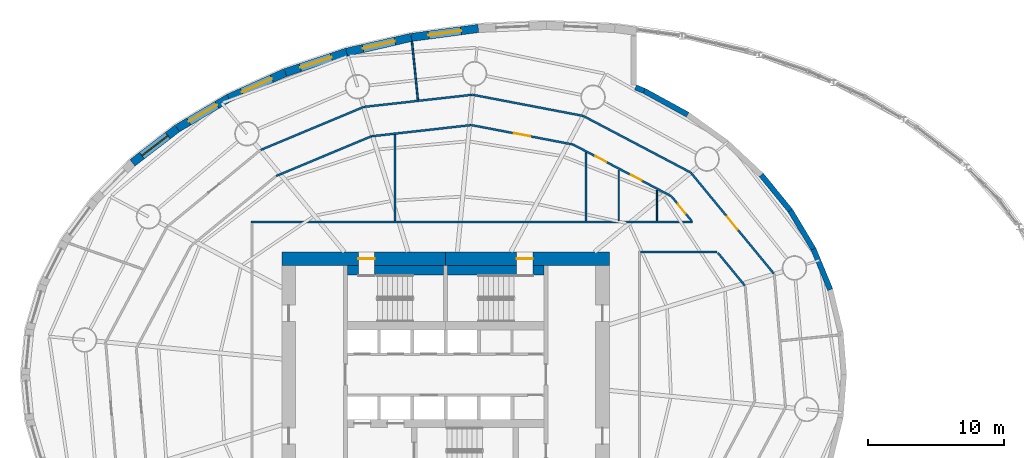
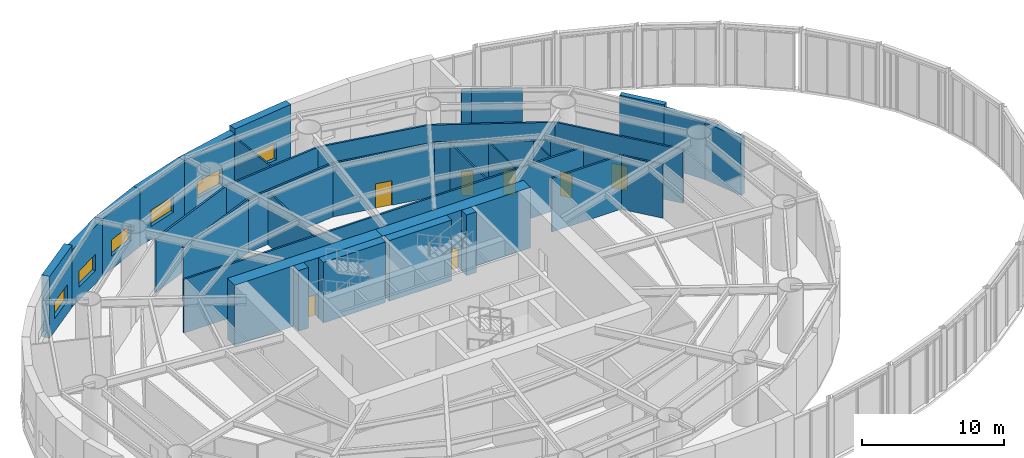
# One storey, part 17 of 19: 35 walls, 7 doors, 6 windows, 13 openings.
"""IFC4 building model written with IfcOpenShell, lengths in metres."""

from ifc_helpers import new_model, si_unit, direction, frame, frame_2d, origin, place, context, subcontext, project, spatial, rectangle, extrude, material, layer, layer_set, type_object, element, fill, save


model = new_model("IFC4")

# Units and contexts
model_context = context("Model", 3, precision=1e-05, world=origin(), true_north=direction((0.0, 1.0)))
body_context = subcontext(model_context, "Body", "Model", "MODEL_VIEW")
ifc_project = project(units=[si_unit("LENGTHUNIT", "METRE"), si_unit("AREAUNIT", "SQUARE_METRE"), si_unit("VOLUMEUNIT", "CUBIC_METRE"), si_unit("PLANEANGLEUNIT", "RADIAN"), si_unit("MASSUNIT", "GRAM", prefix="KILO")], contexts=[model_context])

# Site, building, storey
site_placement = place(None, origin())
site = spatial("IfcSite", under=ifc_project, at=site_placement, CompositionType="ELEMENT")
building_placement = place(site_placement, origin())
building = spatial("IfcBuilding", under=site, at=building_placement, Name="Vermilion Reach Broadcast Tower", CompositionType="ELEMENT")
storey_placement = place(building_placement, frame((0.0, 0.0, 26.0)))
storey = spatial("IfcBuildingStorey", under=building, at=storey_placement, Name="L03", CompositionType="ELEMENT", Elevation=26.0)

# Walls
ifc_material_1 = material(Name="Precast concrete C40/50 with acoustic cladding", Category="concrete")
ifc_layer_1 = layer(ifc_material_1, 0.39990234375)
ifc_layer_set_1 = layer_set([ifc_layer_1], Name="Atrium end wall 400")
wall_type_1 = type_object("IfcWallType", Name="Atrium end wall 400", PredefinedType="SOLIDWALL", material=ifc_layer_set_1)
wall_1_placement = place(storey_placement, frame((17.14013671875, 14.639892578125, 0.0), z_axis=(0.0, 0.0, 1.0), x_axis=(0.631953724698, -0.775006122453, 0.0)))
element("IfcWall", 1, at=wall_1_placement, inside=storey, type_object=wall_type_1, Name="Podium wall L03 dru04", PredefinedType="SOLIDWALL", context=body_context, shape_type="SweptSolid", body=[
    extrude(rectangle(XDim=3.3671875, YDim=0.39990234375, at=frame_2d((1.68359375, 0.0))), origin(), (0.0, 0.0, 1.0), 5.300048828125),
])
ifc_material_2 = material(Name="Precast concrete C40/50 with acoustic cladding", Category="concrete")
ifc_layer_2 = layer(ifc_material_2, 0.39990234375)
ifc_layer_set_2 = layer_set([ifc_layer_2], Name="Atrium end wall 400, head 400 below soffit")
wall_type_2 = type_object("IfcWallType", Name="Atrium end wall 400, head 400 below soffit", PredefinedType="SOLIDWALL", material=ifc_layer_set_2)
wall_2_placement = place(storey_placement, frame((7.925048828125, 21.060546875, 0.0), z_axis=(0.0, 0.0, 1.0), x_axis=(0.927141159757, -0.374712249444, 0.0)))
element("IfcWall", 2, at=wall_2_placement, inside=storey, type_object=wall_type_2, Name="Podium wall L03 dru00", PredefinedType="SOLIDWALL", context=body_context, shape_type="SweptSolid", body=[
    extrude(rectangle(XDim=0.696533203125, YDim=0.39990234375, at=frame_2d((0.34814453125, 0.0))), origin(), (0.0, 0.0, 1.0), 4.89990234375),
])
wall_3_placement = place(storey_placement, frame((8.57080078125, 20.799560546875, 0.0), z_axis=(0.0, 0.0, 1.0), x_axis=(0.87711318505, -0.48028372928, 0.0)))
element("IfcWall", 3, at=wall_3_placement, inside=storey, type_object=wall_type_2, Name="Podium wall L03 dru01", PredefinedType="SOLIDWALL", context=body_context, shape_type="SweptSolid", body=[
    extrude(rectangle(XDim=3.61865234375, YDim=0.39990234375, at=frame_2d((1.809326171875, 0.0))), origin(), (0.0, 0.0, 1.0), 4.89990234375),
])
wall_4_placement = place(storey_placement, frame((19.26806640625, 12.0302734375, 0.0), z_axis=(0.0, 0.0, 1.0), x_axis=(0.515586767828, -0.856837373625, 0.0)))
element("IfcWall", 4, at=wall_4_placement, inside=storey, type_object=wall_type_2, Name="Podium wall L03 dru05", PredefinedType="SOLIDWALL", context=body_context, shape_type="SweptSolid", body=[
    extrude(rectangle(XDim=3.28955078125, YDim=0.39990234375, at=frame_2d((1.644775390625, 0.0))), origin(), (0.0, 0.0, 1.0), 4.89990234375),
])
wall_5_placement = place(storey_placement, frame((20.964111328125, 9.211669921875, 0.0), z_axis=(0.0, 0.0, 1.0), x_axis=(0.382706172342, -0.923870112976, 0.0)))
element("IfcWall", 5, at=wall_5_placement, inside=storey, type_object=wall_type_2, Name="Podium wall L03 dru06", PredefinedType="SOLIDWALL", context=body_context, shape_type="SweptSolid", body=[
    extrude(rectangle(XDim=3.224853515625, YDim=0.39990234375, at=frame_2d((1.6123046875, 0.0))), origin(), (0.0, 0.0, 1.0), 4.89990234375),
])

# Wall, opening, door
ifc_material_3 = material(Name="Concrete C70", Category="concrete")
ifc_layer_3 = layer(ifc_material_3, 1.0)
ifc_layer_set_3 = layer_set([ifc_layer_3], Name="Core outer wall 1000 mm Concrete C70")
wall_type_3 = type_object("IfcWallType", Name="Core outer wall 1000 mm Concrete C70", PredefinedType="SHEAR", material=ifc_layer_set_3)
wall_6_placement = place(storey_placement, frame((6.0, 8.5, 0.0), z_axis=(0.0, 0.0, 1.0), x_axis=(-1.0, 0.0, 0.0)))
wall_6 = element("IfcWall", 6, at=wall_6_placement, inside=storey, type_object=wall_type_3, Name="L03 core wall onE", PredefinedType="SHEAR", context=body_context, shape_type="SweptSolid", body=[
    extrude(rectangle(XDim=12.0, YDim=1.0, at=frame_2d((6.0, 0.0))), origin(), (0.0, 0.0, 1.0), 5.199951171875),
])
opening_1_placement = place(wall_6_placement, frame((5.60009765625, 0.0, 0.0)))
opening_1 = element("IfcOpeningElement", 7, at=opening_1_placement, cuts=wall_6, Name="Opening D01", PredefinedType="OPENING", context=body_context, shape_type="SweptSolid", body=[
    extrude(rectangle(XDim=1.199951171875, YDim=2.10009765625, at=frame_2d((0.60009765625, 1.050048828125))), frame((0.0, 0.510009765625, 0.0), z_axis=(0.0, -1.0, 0.0), x_axis=(1.0, 0.0, 0.0)), (0.0, 0.0, 1.0), 1.02001953125),
])
ifc_material_4 = material(Name="Painted steel fire door", Category="steel")
door_type_1 = type_object("IfcDoorType", Name="Stair door 1200 x 2100", OperationType="DOUBLE_DOOR_SINGLE_SWING", PredefinedType="NOTDEFINED", material=ifc_material_4)
door_1_placement = place(opening_1_placement, origin())
door_1 = element("IfcDoor", 8, at=door_1_placement, inside=storey, type_object=door_type_1, Name="L03 stair door ST2", OperationType="DOUBLE_DOOR_SINGLE_SWING", OverallHeight=2.10009765625, OverallWidth=1.199951171875, PredefinedType="NOTDEFINED", context=body_context, shape_type="SweptSolid", body=[
    extrude(rectangle(XDim=1.199951171875, YDim=2.10009765625, at=frame_2d((0.60009765625, 1.050048828125))), frame((0.0, 0.02490234375, 0.0), z_axis=(0.0, -1.0, 0.0), x_axis=(1.0, 0.0, 0.0)), (0.0, 0.0, 1.0), 0.050048828125),
])
fill(opening_1, door_1)

wall_7_placement = place(storey_placement, frame((-6.0, 8.5, 0.0), z_axis=(0.0, 0.0, 1.0), x_axis=(-1.0, 0.0, 0.0)))
wall_7 = element("IfcWall", 9, at=wall_7_placement, inside=storey, type_object=wall_type_3, Name="L03 core wall onW", PredefinedType="SHEAR", context=body_context, shape_type="SweptSolid", body=[
    extrude(rectangle(XDim=12.0, YDim=1.0, at=frame_2d((6.0, 0.0))), origin(), (0.0, 0.0, 1.0), 5.199951171875),
])
opening_2_placement = place(wall_7_placement, frame((5.199951171875, 0.0, 0.0)))
opening_2 = element("IfcOpeningElement", 10, at=opening_2_placement, cuts=wall_7, Name="Opening D01", PredefinedType="OPENING", context=body_context, shape_type="SweptSolid", body=[
    extrude(rectangle(XDim=1.199951171875, YDim=2.10009765625, at=frame_2d((0.60009765625, 1.050048828125))), frame((0.0, 0.510009765625, 0.0), z_axis=(0.0, -1.0, 0.0), x_axis=(1.0, 0.0, 0.0)), (0.0, 0.0, 1.0), 1.02001953125),
])
door_2_placement = place(opening_2_placement, origin())
door_2 = element("IfcDoor", 11, at=door_2_placement, inside=storey, type_object=door_type_1, Name="L03 stair door ST1", OperationType="DOUBLE_DOOR_SINGLE_SWING", OverallHeight=2.10009765625, OverallWidth=1.199951171875, PredefinedType="NOTDEFINED", context=body_context, shape_type="SweptSolid", body=[
    extrude(rectangle(XDim=1.199951171875, YDim=2.10009765625, at=frame_2d((0.60009765625, 1.050048828125))), frame((0.0, 0.02490234375, 0.0), z_axis=(0.0, -1.0, 0.0), x_axis=(1.0, 0.0, 0.0)), (0.0, 0.0, 1.0), 0.050048828125),
])
fill(opening_2, door_2)

# Walls
ifc_material_5 = material(Name="Concrete C70", Category="concrete")
ifc_layer_4 = layer(ifc_material_5, 0.699951171875)
ifc_layer_set_4 = layer_set([ifc_layer_4], Name="Core stair wall 700 mm Concrete C70")
wall_type_4 = type_object("IfcWallType", Name="Core stair wall 700 mm Concrete C70", PredefinedType="SHEAR", material=ifc_layer_set_4)
wall_8_placement = place(storey_placement, frame((-13.199951171875, 7.64990234375, 0.0), z_axis=(0.0, 0.0, 1.0), x_axis=(1.0, 0.0, 0.0)))
element("IfcWall", 12, at=wall_8_placement, inside=storey, type_object=wall_type_4, Name="L03 core wall l1a", PredefinedType="SHEAR", context=body_context, shape_type="SweptSolid", body=[
    extrude(rectangle(XDim=0.800048828125, YDim=0.699951171875, at=frame_2d((0.39990234375, 0.0))), origin(), (0.0, 0.0, 1.0), 5.199951171875),
])
for number, where, z_axis, x_axis, name in (
    (13, (-11.199951171875, 7.64990234375, 0.0), (0.0, 0.0, 1.0), (1.0, 0.0, 0.0), "L03 core wall l1b"),
    (14, (-5.85009765625, 7.64990234375, 0.0), (0.0, 0.0, 1.0), (1.0, 0.0, 0.0), "L03 core wall l2a"),
):
    element("IfcWall", number, at=place(storey_placement, frame(where, z_axis=z_axis, x_axis=x_axis)), inside=storey, type_object=wall_type_4, Name=name, PredefinedType="SHEAR", context=body_context, shape_type="SweptSolid", body=[
        extrude(rectangle(XDim=5.050048828125, YDim=0.699951171875, at=frame_2d((2.52490234375, 0.0))), origin(), (0.0, 0.0, 1.0), 5.199951171875),
    ])
wall_9_placement = place(storey_placement, frame((0.39990234375, 7.64990234375, 0.0), z_axis=(0.0, 0.0, 1.0), x_axis=(1.0, 0.0, 0.0)))
element("IfcWall", 15, at=wall_9_placement, inside=storey, type_object=wall_type_4, Name="L03 core wall l2b", PredefinedType="SHEAR", context=body_context, shape_type="SweptSolid", body=[
    extrude(rectangle(XDim=0.800048828125, YDim=0.699951171875, at=frame_2d((0.39990234375, 0.0))), origin(), (0.0, 0.0, 1.0), 5.199951171875),
])
ifc_material_6 = material(Name="Gypsum board partition")
ifc_layer_5 = layer(ifc_material_6, 0.14990234375)
ifc_layer_set_5 = layer_set([ifc_layer_5], Name="Corridor wall 150")
wall_type_5 = type_object("IfcWallType", Name="Corridor wall 150", PredefinedType="PARTITIONING", material=ifc_layer_set_5)
wall_10_placement = place(storey_placement, frame((-20.27490234375, 11.199951171875, 0.0), z_axis=(0.0, 0.0, 1.0), x_axis=(1.0, 0.0, 0.0)))
element("IfcWall", 16, at=wall_10_placement, inside=storey, type_object=wall_type_5, Name="sp.wall.L03.000", PredefinedType="PARTITIONING", context=body_context, shape_type="SweptSolid", body=[
    extrude(rectangle(XDim=32.372314453125, YDim=0.14990234375, at=frame_2d((16.18603515625, 0.0))), origin(), (0.0, 0.0, 1.0), 4.60009765625),
])
wall_11_placement = place(storey_placement, frame((8.27490234375, 9.0, 0.0), z_axis=(0.0, 0.0, 1.0), x_axis=(1.0, 0.0, 0.0)))
element("IfcWall", 17, at=wall_11_placement, inside=storey, type_object=wall_type_5, Name="sp.wall.L03.006", PredefinedType="PARTITIONING", context=body_context, shape_type="SweptSolid", body=[
    extrude(rectangle(XDim=5.630859375, YDim=0.14990234375, at=frame_2d((2.8154296875, 0.0))), origin(), (0.0, 0.0, 1.0), 4.60009765625),
])

# Wall, opening, door
wall_12_placement = place(storey_placement, frame((12.039306640625, 11.2705078125, 0.0), z_axis=(0.0, 0.0, 1.0), x_axis=(-0.634980634047, 0.772528054109, 0.0)))
wall_12 = element("IfcWall", 18, at=wall_12_placement, inside=storey, type_object=wall_type_5, Name="sp.wall.L03.009", PredefinedType="PARTITIONING", context=body_context, shape_type="SweptSolid", body=[
    extrude(rectangle(XDim=2.309326171875, YDim=0.14990234375, at=frame_2d((1.15478515625, 0.0))), origin(), (0.0, 0.0, 1.0), 4.60009765625),
])
opening_3_placement = place(wall_12_placement, frame((0.70458984375, 0.0, 0.0)))
opening_3 = element("IfcOpeningElement", 19, at=opening_3_placement, cuts=wall_12, Name="Opening D51", PredefinedType="OPENING", context=body_context, shape_type="SweptSolid", body=[
    extrude(rectangle(XDim=0.89990234375, YDim=2.10009765625, at=frame_2d((0.449951171875, 1.050048828125))), frame((0.0, 0.0849609375, 0.0), z_axis=(0.0, -1.0, 0.0), x_axis=(1.0, 0.0, 0.0)), (0.0, 0.0, 1.0), 0.169921875),
])
ifc_material_7 = material(Name="Timber and steel door set", Category="steel")
door_type_2 = type_object("IfcDoorType", Name="Door 900x2100 WC", OperationType="NOTDEFINED", PredefinedType="DOOR", material=ifc_material_7)
door_3_placement = place(opening_3_placement, origin())
door_3 = element("IfcDoor", 20, at=door_3_placement, inside=storey, type_object=door_type_2, Name="sp.door.L03.000", OperationType="SINGLE_SWING_LEFT", OverallHeight=2.10009765625, OverallWidth=0.89990234375, PredefinedType="DOOR", context=body_context, shape_type="SweptSolid", body=[
    extrude(rectangle(XDim=0.89990234375, YDim=2.10009765625, at=frame_2d((0.449951171875, 1.050048828125))), frame((0.0, 0.02490234375, 0.0), z_axis=(0.0, -1.0, 0.0), x_axis=(1.0, 0.0, 0.0)), (0.0, 0.0, 1.0), 0.050048828125),
])
fill(opening_3, door_3)

# Wall
wall_13_placement = place(storey_placement, frame((13.9638671875, 8.929443359375, 0.0), z_axis=(0.0, 0.0, 1.0), x_axis=(0.635017397711, -0.772497834692, 0.0)))
element("IfcWall", 21, at=wall_13_placement, inside=storey, type_object=wall_type_5, Name="sp.wall.L03.010", PredefinedType="PARTITIONING", context=body_context, shape_type="SweptSolid", body=[
    extrude(rectangle(XDim=3.08984375, YDim=0.14990234375, at=frame_2d((1.544921875, 0.0))), origin(), (0.0, 0.0, 1.0), 4.60009765625),
])

# Wall, openings, doors
wall_14_placement = place(storey_placement, frame((10.552734375, 13.078857421875, 0.0), z_axis=(0.0, 0.0, 1.0), x_axis=(-0.884926027541, 0.46573160273, 0.0)))
wall_14 = element("IfcWall", 22, at=wall_14_placement, inside=storey, type_object=wall_type_5, Name="sp.wall.L03.011", PredefinedType="PARTITIONING", context=body_context, shape_type="SweptSolid", body=[
    extrude(rectangle(XDim=8.14208984375, YDim=0.14990234375, at=frame_2d((4.071044921875, 0.0))), origin(), (0.0, 0.0, 1.0), 4.60009765625),
])
opening_4_placement = place(wall_14_placement, frame((2.45068359375, 0.0, 0.0)))
opening_4 = element("IfcOpeningElement", 23, at=opening_4_placement, cuts=wall_14, Name="Opening D51", PredefinedType="OPENING", context=body_context, shape_type="SweptSolid", body=[
    extrude(rectangle(XDim=0.89990234375, YDim=2.10009765625, at=frame_2d((0.449951171875, 1.050048828125))), frame((0.0, 0.0849609375, 0.0), z_axis=(0.0, -1.0, 0.0), x_axis=(1.0, 0.0, 0.0)), (0.0, 0.0, 1.0), 0.169921875),
])
opening_5_placement = place(wall_14_placement, frame((5.392333984375, 0.0, 0.0)))
opening_5 = element("IfcOpeningElement", 24, at=opening_5_placement, cuts=wall_14, Name="Opening D51", PredefinedType="OPENING", context=body_context, shape_type="SweptSolid", body=[
    extrude(rectangle(XDim=0.89990234375, YDim=2.10009765625, at=frame_2d((0.449951171875, 1.050048828125))), frame((0.0, 0.0849609375, 0.0), z_axis=(0.0, -1.0, 0.0), x_axis=(1.0, 0.0, 0.0)), (0.0, 0.0, 1.0), 0.169921875),
])
door_4_placement = place(opening_4_placement, origin())
door_4 = element("IfcDoor", 25, at=door_4_placement, inside=storey, type_object=door_type_2, Name="sp.door.L03.001", OperationType="SINGLE_SWING_RIGHT", OverallHeight=2.10009765625, OverallWidth=0.89990234375, PredefinedType="DOOR", context=body_context, shape_type="SweptSolid", body=[
    extrude(rectangle(XDim=0.89990234375, YDim=2.10009765625, at=frame_2d((0.449951171875, 1.050048828125))), frame((0.0, 0.02490234375, 0.0), z_axis=(0.0, -1.0, 0.0), x_axis=(1.0, 0.0, 0.0)), (0.0, 0.0, 1.0), 0.050048828125),
])
fill(opening_4, door_4)
door_5_placement = place(opening_5_placement, origin())
door_5 = element("IfcDoor", 26, at=door_5_placement, inside=storey, type_object=door_type_2, Name="sp.door.L03.002", OperationType="SINGLE_SWING_LEFT", OverallHeight=2.10009765625, OverallWidth=0.89990234375, PredefinedType="DOOR", context=body_context, shape_type="SweptSolid", body=[
    extrude(rectangle(XDim=0.89990234375, YDim=2.10009765625, at=frame_2d((0.449951171875, 1.050048828125))), frame((0.0, 0.02490234375, 0.0), z_axis=(0.0, -1.0, 0.0), x_axis=(1.0, 0.0, 0.0)), (0.0, 0.0, 1.0), 0.050048828125),
])
fill(opening_5, door_5)

# Wall, opening, door
wall_15_placement = place(storey_placement, frame((3.3251953125, 16.875244140625, 0.0), z_axis=(0.0, 0.0, 1.0), x_axis=(-0.982205706766, 0.187808278828, 0.0)))
wall_15 = element("IfcWall", 27, at=wall_15_placement, inside=storey, type_object=wall_type_5, Name="sp.wall.L03.015", PredefinedType="PARTITIONING", context=body_context, shape_type="SweptSolid", body=[
    extrude(rectangle(XDim=7.573486328125, YDim=0.14990234375, at=frame_2d((3.78662109375, 0.0))), origin(), (0.0, 0.0, 1.0), 4.60009765625),
])
opening_6_placement = place(wall_15_placement, frame((3.186767578125, 0.0, 0.0)))
opening_6 = element("IfcOpeningElement", 28, at=opening_6_placement, cuts=wall_15, Name="Opening D57", PredefinedType="OPENING", context=body_context, shape_type="SweptSolid", body=[
    extrude(rectangle(XDim=1.199951171875, YDim=2.10009765625, at=frame_2d((0.60009765625, 1.050048828125))), frame((0.0, 0.0849609375, 0.0), z_axis=(0.0, -1.0, 0.0), x_axis=(1.0, 0.0, 0.0)), (0.0, 0.0, 1.0), 0.169921875),
])
ifc_material_8 = material(Name="Timber and steel door set", Category="steel")
door_type_3 = type_object("IfcDoorType", Name="Control room door 1200x2100", OperationType="NOTDEFINED", PredefinedType="DOOR", material=ifc_material_8)
door_6_placement = place(opening_6_placement, origin())
door_6 = element("IfcDoor", 29, at=door_6_placement, inside=storey, type_object=door_type_3, Name="sp.door.L03.003", OperationType="SINGLE_SWING_RIGHT", OverallHeight=2.10009765625, OverallWidth=1.199951171875, PredefinedType="DOOR", context=body_context, shape_type="SweptSolid", body=[
    extrude(rectangle(XDim=1.199951171875, YDim=2.10009765625, at=frame_2d((0.60009765625, 1.050048828125))), frame((0.0, 0.02490234375, 0.0), z_axis=(0.0, -1.0, 0.0), x_axis=(1.0, 0.0, 0.0)), (0.0, 0.0, 1.0), 0.050048828125),
])
fill(opening_6, door_6)

# Walls
wall_16_placement = place(storey_placement, frame((-11.4248046875, 17.47705078125, 0.0), z_axis=(0.0, 0.0, 1.0), x_axis=(0.993762158865, 0.111520274427, 0.0)))
element("IfcWall", 30, at=wall_16_placement, inside=storey, type_object=wall_type_5, Name="sp.wall.L03.016", PredefinedType="PARTITIONING", context=body_context, shape_type="SweptSolid", body=[
    extrude(rectangle(XDim=7.333740234375, YDim=0.14990234375, at=frame_2d((3.6669921875, 0.0))), origin(), (0.0, 0.0, 1.0), 4.60009765625),
])
wall_17_placement = place(storey_placement, frame((-18.40966796875, 14.56787109375, 0.0), z_axis=(0.0, 0.0, 1.0), x_axis=(0.922821127206, 0.38522872061, 0.0)))
element("IfcWall", 31, at=wall_17_placement, inside=storey, type_object=wall_type_5, Name="sp.wall.L03.019", PredefinedType="PARTITIONING", context=body_context, shape_type="SweptSolid", body=[
    extrude(rectangle(XDim=7.54541015625, YDim=0.14990234375, at=frame_2d((3.772705078125, 0.0))), origin(), (0.0, 0.0, 1.0), 4.60009765625),
])

# Wall, opening, door
wall_18_placement = place(storey_placement, frame((18.060302734375, 7.41064453125, 0.0), z_axis=(0.0, 0.0, 1.0), x_axis=(-0.63502168635, 0.772494309277, 0.0)))
wall_18 = element("IfcWall", 32, at=wall_18_placement, inside=storey, type_object=wall_type_5, Name="sp.wall.L03.037", PredefinedType="PARTITIONING", context=body_context, shape_type="SweptSolid", body=[
    extrude(rectangle(XDim=9.590087890625, YDim=0.14990234375, at=frame_2d((4.794921875, 0.0))), origin(), (0.0, 0.0, 1.0), 4.60009765625),
])
opening_7_placement = place(wall_18_placement, frame((4.195068359375, 0.0, 0.0)))
opening_7 = element("IfcOpeningElement", 33, at=opening_7_placement, cuts=wall_18, Name="Opening D57", PredefinedType="OPENING", context=body_context, shape_type="SweptSolid", body=[
    extrude(rectangle(XDim=1.199951171875, YDim=2.10009765625, at=frame_2d((0.60009765625, 1.050048828125))), frame((0.0, 0.0849609375, 0.0), z_axis=(0.0, -1.0, 0.0), x_axis=(1.0, 0.0, 0.0)), (0.0, 0.0, 1.0), 0.169921875),
])
door_7_placement = place(opening_7_placement, origin())
door_7 = element("IfcDoor", 34, at=door_7_placement, inside=storey, type_object=door_type_3, Name="sp.door.L03.008", OperationType="SINGLE_SWING_LEFT", OverallHeight=2.10009765625, OverallWidth=1.199951171875, PredefinedType="DOOR", context=body_context, shape_type="SweptSolid", body=[
    extrude(rectangle(XDim=1.199951171875, YDim=2.10009765625, at=frame_2d((0.60009765625, 1.050048828125))), frame((0.0, 0.02490234375, 0.0), z_axis=(0.0, -1.0, 0.0), x_axis=(1.0, 0.0, 0.0)), (0.0, 0.0, 1.0), 0.050048828125),
])
fill(opening_7, door_7)

# Walls
wall_19_placement = place(storey_placement, frame((4.08251953125, 18.97021484375, 0.0), z_axis=(0.0, 0.0, 1.0), x_axis=(0.884920607371, -0.465741901326, 0.0)))
element("IfcWall", 35, at=wall_19_placement, inside=storey, type_object=wall_type_5, Name="sp.wall.L03.038", PredefinedType="PARTITIONING", context=body_context, shape_type="SweptSolid", body=[
    extrude(rectangle(XDim=8.882080078125, YDim=0.14990234375, at=frame_2d((4.44091796875, 0.0))), origin(), (0.0, 0.0, 1.0), 4.60009765625),
])
wall_20_placement = place(storey_placement, frame((-4.027587890625, 20.52099609375, 0.0), z_axis=(0.0, 0.0, 1.0), x_axis=(0.982207009241, -0.187801466976, 0.0)))
element("IfcWall", 36, at=wall_20_placement, inside=storey, type_object=wall_type_5, Name="sp.wall.L03.039", PredefinedType="PARTITIONING", context=body_context, shape_type="SweptSolid", body=[
    extrude(rectangle(XDim=8.234130859375, YDim=0.14990234375, at=frame_2d((4.1171875, 0.0))), origin(), (0.0, 0.0, 1.0), 4.60009765625),
])
wall_21_placement = place(storey_placement, frame((-11.982177734375, 19.62841796875, 0.0), z_axis=(0.0, 0.0, 1.0), x_axis=(0.993764533241, 0.11149911422, 0.0)))
element("IfcWall", 37, at=wall_21_placement, inside=storey, type_object=wall_type_5, Name="sp.wall.L03.040", PredefinedType="PARTITIONING", context=body_context, shape_type="SweptSolid", body=[
    extrude(rectangle(XDim=7.981201171875, YDim=0.14990234375, at=frame_2d((3.99072265625, 0.0))), origin(), (0.0, 0.0, 1.0), 4.60009765625),
])
wall_22_placement = place(storey_placement, frame((-19.556396484375, 16.47314453125, 0.0), z_axis=(0.0, 0.0, 1.0), x_axis=(0.922818121352, 0.385235921097, 0.0)))
element("IfcWall", 38, at=wall_22_placement, inside=storey, type_object=wall_type_5, Name="sp.wall.L03.042", PredefinedType="PARTITIONING", context=body_context, shape_type="SweptSolid", body=[
    extrude(rectangle(XDim=8.18408203125, YDim=0.14990234375, at=frame_2d((4.092041015625, 0.0))), origin(), (0.0, 0.0, 1.0), 4.60009765625),
])
ifc_material_9 = material(Name="Gypsum board partition")
ifc_layer_6 = layer(ifc_material_9, 0.125)
ifc_layer_set_6 = layer_set([ifc_layer_6], Name="Partition 125 plasterboard")
wall_type_6 = type_object("IfcWallType", Name="Partition 125 plasterboard", PredefinedType="PARTITIONING", material=ifc_layer_set_6)
wall_23_placement = place(storey_placement, frame((4.29736328125, 11.27490234375, 0.0), z_axis=(0.0, 0.0, 1.0), x_axis=(0.0, 1.0, 0.0)))
element("IfcWall", 39, at=wall_23_placement, inside=storey, type_object=wall_type_6, Name="sp.wall.L03.013", PredefinedType="PARTITIONING", context=body_context, shape_type="SweptSolid", body=[
    extrude(rectangle(XDim=4.978515625, YDim=0.125, at=frame_2d((2.4892578125, 0.0))), origin(), (0.0, 0.0, 1.0), 4.60009765625),
])
wall_24_placement = place(storey_placement, frame((-9.70263671875, 11.27490234375, 0.0), z_axis=(0.0, 0.0, 1.0), x_axis=(0.0, 1.0, 0.0)))
element("IfcWall", 40, at=wall_24_placement, inside=storey, type_object=wall_type_6, Name="sp.wall.L03.014", PredefinedType="PARTITIONING", context=body_context, shape_type="SweptSolid", body=[
    extrude(rectangle(XDim=6.31298828125, YDim=0.125, at=frame_2d((3.156494140625, 0.0))), origin(), (0.0, 0.0, 1.0), 4.60009765625),
])
wall_25_placement = place(storey_placement, frame((-8.4638671875, 24.425537109375, 0.0), z_axis=(0.0, 0.0, 1.0), x_axis=(0.100391964529, -0.994947965201, 0.0)))
element("IfcWall", 41, at=wall_25_placement, inside=storey, type_object=wall_type_6, Name="sp.wall.L03.033", PredefinedType="PARTITIONING", context=body_context, shape_type="SweptSolid", body=[
    extrude(rectangle(XDim=4.299560546875, YDim=0.125, at=frame_2d((2.14990234375, 0.0))), origin(), (0.0, 0.0, 1.0), 4.60009765625),
])

# Wall, opening, window
ifc_material_10 = material(Name="Precast concrete C40/50 with acoustic cladding", Category="concrete")
ifc_layer_7 = layer(ifc_material_10, 0.60009765625)
ifc_layer_set_7 = layer_set([ifc_layer_7], Name="Podium acoustic wall 600")
wall_type_7 = type_object("IfcWallType", Name="Podium acoustic wall 600", PredefinedType="SOLIDWALL", material=ifc_layer_set_7)
wall_26_placement = place(storey_placement, frame((-3.60302734375, 25.379150390625, 0.0), z_axis=(0.0, 0.0, 1.0), x_axis=(-0.991143444913, -0.132795600853, 0.0)))
wall_26 = element("IfcWall", 42, at=wall_26_placement, inside=storey, type_object=wall_type_7, Name="Podium wall L03 str03", PredefinedType="SOLIDWALL", context=body_context, shape_type="SweptSolid", body=[
    extrude(rectangle(XDim=4.960205078125, YDim=0.60009765625, at=frame_2d((2.47998046875, 0.0))), origin(), (0.0, 0.0, 1.0), 5.300048828125),
])
opening_8_placement = place(wall_26_placement, frame((1.2802734375, 0.0, 1.10009765625)))
opening_8 = element("IfcOpeningElement", 43, at=opening_8_placement, cuts=wall_26, Name="Opening W11", PredefinedType="OPENING", context=body_context, shape_type="SweptSolid", body=[
    extrude(rectangle(XDim=2.39990234375, YDim=1.39990234375, at=frame_2d((1.199951171875, 0.699951171875))), frame((0.0, 0.31005859375, 0.0), z_axis=(0.0, -1.0, 0.0), x_axis=(1.0, 0.0, 0.0)), (0.0, 0.0, 1.0), 0.6201171875),
])
ifc_material_11 = material(Name="Acoustic laminated glass in aluminium frame", Category="aluminium")
window_type = type_object("IfcWindowType", Name="Control room window 2400 x 1400", PartitioningType="SINGLE_PANEL", PredefinedType="WINDOW", material=ifc_material_11)
window_1_placement = place(opening_8_placement, origin())
window_1 = element("IfcWindow", 44, at=window_1_placement, inside=storey, type_object=window_type, Name="Window L03 03", OverallHeight=1.39990234375, OverallWidth=2.39990234375, PartitioningType="SINGLE_PANEL", PredefinedType="WINDOW", context=body_context, shape_type="SweptSolid", body=[
    extrude(rectangle(XDim=2.39990234375, YDim=1.39990234375, at=frame_2d((1.199951171875, 0.699951171875))), frame((0.0, 0.030029296875, 0.0), z_axis=(0.0, -1.0, 0.0), x_axis=(1.0, 0.0, 0.0)), (0.0, 0.0, 1.0), 0.06005859375),
])
fill(opening_8, window_1)

wall_27_placement = place(storey_placement, frame((-25.6708984375, 18.052978515625, 0.0), z_axis=(0.0, 0.0, 1.0), x_axis=(-0.793065901338, -0.609135843745, 0.0)))
wall_27 = element("IfcWall", 45, at=wall_27_placement, inside=storey, type_object=wall_type_7, Name="Podium wall L03 str08", PredefinedType="SOLIDWALL", context=body_context, shape_type="SweptSolid", body=[
    extrude(rectangle(XDim=4.146728515625, YDim=0.60009765625, at=frame_2d((2.0732421875, 0.0))), origin(), (0.0, 0.0, 1.0), 5.300048828125),
])
opening_9_placement = place(wall_27_placement, frame((0.873291015625, 0.0, 1.10009765625)))
opening_9 = element("IfcOpeningElement", 46, at=opening_9_placement, cuts=wall_27, Name="Opening W11", PredefinedType="OPENING", context=body_context, shape_type="SweptSolid", body=[
    extrude(rectangle(XDim=2.39990234375, YDim=1.39990234375, at=frame_2d((1.199951171875, 0.699951171875))), frame((0.0, 0.31005859375, 0.0), z_axis=(0.0, -1.0, 0.0), x_axis=(1.0, 0.0, 0.0)), (0.0, 0.0, 1.0), 0.6201171875),
])
window_2_placement = place(opening_9_placement, origin())
window_2 = element("IfcWindow", 47, at=window_2_placement, inside=storey, type_object=window_type, Name="Window L03 08", OverallHeight=1.39990234375, OverallWidth=2.39990234375, PartitioningType="SINGLE_PANEL", PredefinedType="WINDOW", context=body_context, shape_type="SweptSolid", body=[
    extrude(rectangle(XDim=2.39990234375, YDim=1.39990234375, at=frame_2d((1.199951171875, 0.699951171875))), frame((0.0, 0.030029296875, 0.0), z_axis=(0.0, -1.0, 0.0), x_axis=(1.0, 0.0, 0.0)), (0.0, 0.0, 1.0), 0.06005859375),
])
fill(opening_9, window_2)

ifc_material_12 = material(Name="Precast concrete C40/50 with acoustic cladding", Category="concrete")
ifc_layer_8 = layer(ifc_material_12, 0.60009765625)
ifc_layer_set_8 = layer_set([ifc_layer_8], Name="Podium acoustic wall 600, head 400 below soffit")
wall_type_8 = type_object("IfcWallType", Name="Podium acoustic wall 600, head 400 below soffit", PredefinedType="SOLIDWALL", material=ifc_layer_set_8)
wall_28_placement = place(storey_placement, frame((-8.519287109375, 24.720458984375, 0.0), z_axis=(0.0, 0.0, 1.0), x_axis=(-0.97483982486, -0.222906518224, 0.0)))
wall_28 = element("IfcWall", 48, at=wall_28_placement, inside=storey, type_object=wall_type_8, Name="Podium wall L03 str04", PredefinedType="SOLIDWALL", context=body_context, shape_type="SweptSolid", body=[
    extrude(rectangle(XDim=4.867431640625, YDim=0.60009765625, at=frame_2d((2.43359375, 0.0))), origin(), (0.0, 0.0, 1.0), 4.89990234375),
])
opening_10_placement = place(wall_28_placement, frame((1.233642578125, 0.0, 1.10009765625)))
opening_10 = element("IfcOpeningElement", 49, at=opening_10_placement, cuts=wall_28, Name="Opening W11", PredefinedType="OPENING", context=body_context, shape_type="SweptSolid", body=[
    extrude(rectangle(XDim=2.39990234375, YDim=1.39990234375, at=frame_2d((1.199951171875, 0.699951171875))), frame((0.0, 0.31005859375, 0.0), z_axis=(0.0, -1.0, 0.0), x_axis=(1.0, 0.0, 0.0)), (0.0, 0.0, 1.0), 0.6201171875),
])
window_3_placement = place(opening_10_placement, origin())
window_3 = element("IfcWindow", 50, at=window_3_placement, inside=storey, type_object=window_type, Name="Window L03 04", OverallHeight=1.39990234375, OverallWidth=2.39990234375, PartitioningType="SINGLE_PANEL", PredefinedType="WINDOW", context=body_context, shape_type="SweptSolid", body=[
    extrude(rectangle(XDim=2.39990234375, YDim=1.39990234375, at=frame_2d((1.199951171875, 0.699951171875))), frame((0.0, 0.030029296875, 0.0), z_axis=(0.0, -1.0, 0.0), x_axis=(1.0, 0.0, 0.0)), (0.0, 0.0, 1.0), 0.06005859375),
])
fill(opening_10, window_3)

wall_29_placement = place(storey_placement, frame((-13.26416015625, 23.635498046875, 0.0), z_axis=(0.0, 0.0, 1.0), x_axis=(-0.94901810672, -0.315221561949, 0.0)))
wall_29 = element("IfcWall", 51, at=wall_29_placement, inside=storey, type_object=wall_type_8, Name="Podium wall L03 str05", PredefinedType="SOLIDWALL", context=body_context, shape_type="SweptSolid", body=[
    extrude(rectangle(XDim=4.732177734375, YDim=0.60009765625, at=frame_2d((2.3662109375, 0.0))), origin(), (0.0, 0.0, 1.0), 4.89990234375),
])
opening_11_placement = place(wall_29_placement, frame((1.166015625, 0.0, 1.10009765625)))
opening_11 = element("IfcOpeningElement", 52, at=opening_11_placement, cuts=wall_29, Name="Opening W11", PredefinedType="OPENING", context=body_context, shape_type="SweptSolid", body=[
    extrude(rectangle(XDim=2.39990234375, YDim=1.39990234375, at=frame_2d((1.199951171875, 0.699951171875))), frame((0.0, 0.31005859375, 0.0), z_axis=(0.0, -1.0, 0.0), x_axis=(1.0, 0.0, 0.0)), (0.0, 0.0, 1.0), 0.6201171875),
])
window_4_placement = place(opening_11_placement, origin())
window_4 = element("IfcWindow", 53, at=window_4_placement, inside=storey, type_object=window_type, Name="Window L03 05", OverallHeight=1.39990234375, OverallWidth=2.39990234375, PartitioningType="SINGLE_PANEL", PredefinedType="WINDOW", context=body_context, shape_type="SweptSolid", body=[
    extrude(rectangle(XDim=2.39990234375, YDim=1.39990234375, at=frame_2d((1.199951171875, 0.699951171875))), frame((0.0, 0.030029296875, 0.0), z_axis=(0.0, -1.0, 0.0), x_axis=(1.0, 0.0, 0.0)), (0.0, 0.0, 1.0), 0.06005859375),
])
fill(opening_11, window_4)

wall_30_placement = place(storey_placement, frame((-17.755126953125, 22.143798828125, 0.0), z_axis=(0.0, 0.0, 1.0), x_axis=(-0.911894462824, -0.410424766152, 0.0)))
wall_30 = element("IfcWall", 54, at=wall_30_placement, inside=storey, type_object=wall_type_8, Name="Podium wall L03 str06", PredefinedType="SOLIDWALL", context=body_context, shape_type="SweptSolid", body=[
    extrude(rectangle(XDim=4.561279296875, YDim=0.60009765625, at=frame_2d((2.28076171875, 0.0))), origin(), (0.0, 0.0, 1.0), 4.89990234375),
])
opening_12_placement = place(wall_30_placement, frame((1.08056640625, 0.0, 1.10009765625)))
opening_12 = element("IfcOpeningElement", 55, at=opening_12_placement, cuts=wall_30, Name="Opening W11", PredefinedType="OPENING", context=body_context, shape_type="SweptSolid", body=[
    extrude(rectangle(XDim=2.39990234375, YDim=1.39990234375, at=frame_2d((1.199951171875, 0.699951171875))), frame((0.0, 0.31005859375, 0.0), z_axis=(0.0, -1.0, 0.0), x_axis=(1.0, 0.0, 0.0)), (0.0, 0.0, 1.0), 0.6201171875),
])
window_5_placement = place(opening_12_placement, origin())
window_5 = element("IfcWindow", 56, at=window_5_placement, inside=storey, type_object=window_type, Name="Window L03 06", OverallHeight=1.39990234375, OverallWidth=2.39990234375, PartitioningType="SINGLE_PANEL", PredefinedType="WINDOW", context=body_context, shape_type="SweptSolid", body=[
    extrude(rectangle(XDim=2.39990234375, YDim=1.39990234375, at=frame_2d((1.199951171875, 0.699951171875))), frame((0.0, 0.030029296875, 0.0), z_axis=(0.0, -1.0, 0.0), x_axis=(1.0, 0.0, 0.0)), (0.0, 0.0, 1.0), 0.06005859375),
])
fill(opening_12, window_5)

wall_31_placement = place(storey_placement, frame((-21.91455078125, 20.271728515625, 0.0), z_axis=(0.0, 0.0, 1.0), x_axis=(-0.861017868942, -0.508574703818, 0.0)))
wall_31 = element("IfcWall", 57, at=wall_31_placement, inside=storey, type_object=wall_type_8, Name="Podium wall L03 str07", PredefinedType="SOLIDWALL", context=body_context, shape_type="SweptSolid", body=[
    extrude(rectangle(XDim=4.36279296875, YDim=0.60009765625, at=frame_2d((2.181396484375, 0.0))), origin(), (0.0, 0.0, 1.0), 4.89990234375),
])
opening_13_placement = place(wall_31_placement, frame((0.9814453125, 0.0, 1.10009765625)))
opening_13 = element("IfcOpeningElement", 58, at=opening_13_placement, cuts=wall_31, Name="Opening W11", PredefinedType="OPENING", context=body_context, shape_type="SweptSolid", body=[
    extrude(rectangle(XDim=2.39990234375, YDim=1.39990234375, at=frame_2d((1.199951171875, 0.699951171875))), frame((0.0, 0.31005859375, 0.0), z_axis=(0.0, -1.0, 0.0), x_axis=(1.0, 0.0, 0.0)), (0.0, 0.0, 1.0), 0.6201171875),
])
window_6_placement = place(opening_13_placement, origin())
window_6 = element("IfcWindow", 59, at=window_6_placement, inside=storey, type_object=window_type, Name="Window L03 07", OverallHeight=1.39990234375, OverallWidth=2.39990234375, PartitioningType="SINGLE_PANEL", PredefinedType="WINDOW", context=body_context, shape_type="SweptSolid", body=[
    extrude(rectangle(XDim=2.39990234375, YDim=1.39990234375, at=frame_2d((1.199951171875, 0.699951171875))), frame((0.0, 0.030029296875, 0.0), z_axis=(0.0, -1.0, 0.0), x_axis=(1.0, 0.0, 0.0)), (0.0, 0.0, 1.0), 0.06005859375),
])
fill(opening_13, window_6)

# Walls
ifc_material_13 = material(Name="Gypsum board partition")
ifc_layer_9 = layer(ifc_material_13, 0.10009765625)
ifc_layer_set_9 = layer_set([ifc_layer_9], Name="WC partition 100")
wall_type_9 = type_object("IfcWallType", Name="WC partition 100", PredefinedType="PARTITIONING", material=ifc_layer_set_9)
wall_32_placement = place(storey_placement, frame((9.497314453125, 11.27490234375, 0.0), z_axis=(0.0, 0.0, 1.0), x_axis=(0.0, 1.0, 0.0)))
element("IfcWall", 60, at=wall_32_placement, inside=storey, type_object=wall_type_9, Name="sp.wall.L03.008", PredefinedType="PARTITIONING", context=body_context, shape_type="SweptSolid", body=[
    extrude(rectangle(XDim=2.248291015625, YDim=0.10009765625, at=frame_2d((1.1240234375, 0.0))), origin(), (0.0, 0.0, 1.0), 4.60009765625),
])
wall_33_placement = place(storey_placement, frame((6.697265625, 11.27490234375, 0.0), z_axis=(0.0, 0.0, 1.0), x_axis=(0.0, 1.0, 0.0)))
element("IfcWall", 61, at=wall_33_placement, inside=storey, type_object=wall_type_9, Name="sp.wall.L03.012", PredefinedType="PARTITIONING", context=body_context, shape_type="SweptSolid", body=[
    extrude(rectangle(XDim=3.721923828125, YDim=0.10009765625, at=frame_2d((1.86083984375, 0.0))), origin(), (0.0, 0.0, 1.0), 4.60009765625),
])

save(model, "model.ifc")
